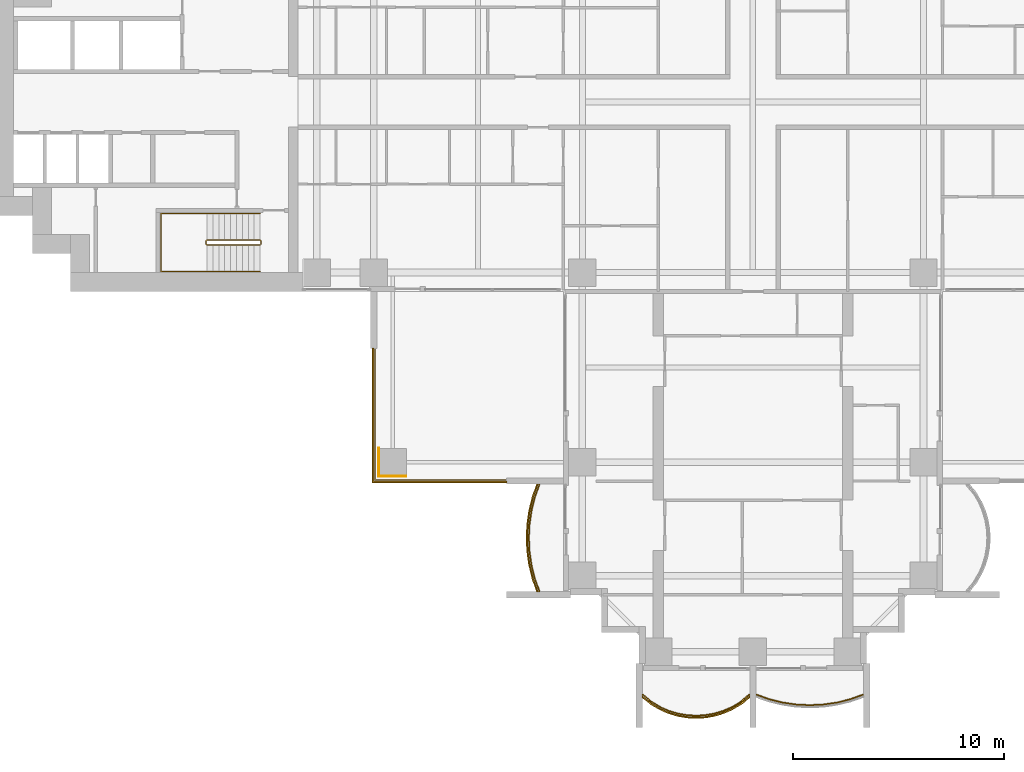
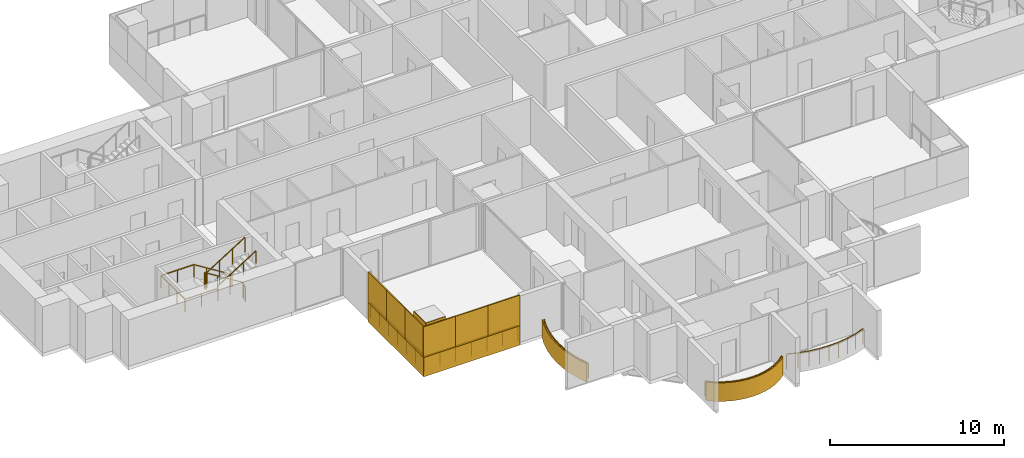
# One storey, part 17 of 20: 11 coverings, 6 railings.
"""IFC4 building model written with IfcOpenShell, lengths in metres."""

from ifc_helpers import new_model, si_unit, direction, frame, origin, origin_2d, place, context, subcontext, project, spatial, polyline, rectangle, outline, extrude, material, layer, layer_set, type_object, element, save


model = new_model("IFC4")

# Units and contexts
model_context = context("Model", 3, precision=1e-05, world=origin(), true_north=direction((0.0, 1.0)))
body_context = subcontext(model_context, "Body", "Model", "MODEL_VIEW")
ifc_project = project(units=[si_unit("LENGTHUNIT", "METRE"), si_unit("AREAUNIT", "SQUARE_METRE"), si_unit("VOLUMEUNIT", "CUBIC_METRE"), si_unit("PLANEANGLEUNIT", "RADIAN"), si_unit("MASSUNIT", "GRAM", prefix="KILO")], contexts=[model_context])

# Site, building, storey
site_placement = place(None, origin())
site = spatial("IfcSite", under=ifc_project, at=site_placement, CompositionType="ELEMENT")
building_placement = place(site_placement, origin())
building = spatial("IfcBuilding", under=site, at=building_placement, Name="Perihelion Cross Residences", CompositionType="ELEMENT")
storey_placement = place(building_placement, frame((0.0, 0.0, 71.5)))
storey = spatial("IfcBuildingStorey", under=building, at=storey_placement, Name="L15", CompositionType="ELEMENT", Elevation=71.5)

# Coverings
ifc_material_1 = material(Name="Bronze anodised aluminium", Category="aluminium")
ifc_layer_1 = layer(ifc_material_1, 0.070068359375)
ifc_layer_set_1 = layer_set([ifc_layer_1], Name="Balcony fascia 1300")
covering_type_1 = type_object("IfcCoveringType", Name="Balcony fascia 1300", PredefinedType="CLADDING", material=ifc_layer_set_1)
covering_1_placement = place(storey_placement, frame((0.0, 0.0, -0.199951171875)))
element("IfcCovering", 1, at=covering_1_placement, inside=storey, type_object=covering_type_1, Name="Fascia BF1 L15 south side west bay 2", PredefinedType="CLADDING", context=body_context, shape_type="SweptSolid", body=[
    extrude(outline(polyline([(-10.49072265625, -18.767578125), (-10.647216796875, -19.411865234375), (-10.739501953125, -20.055908203125), (-10.77001953125, -20.699951171875), (-10.739501953125, -21.34423828125), (-10.647216796875, -21.98828125), (-10.49072265625, -22.63232421875), (-10.274169921875, -23.25), (-10.199951171875, -23.25), (-10.423583984375, -22.612548828125), (-10.57861328125, -21.97509765625), (-10.669921875, -21.33740234375), (-10.699951171875, -20.699951171875), (-10.669921875, -20.0625), (-10.57861328125, -19.425048828125), (-10.423583984375, -18.78759765625), (-10.199951171875, -18.14990234375), (-10.274169921875, -18.14990234375), (-10.49072265625, -18.767578125)])), origin(), (0.0, 0.0, 1.0), 1.300048828125),
])
covering_2_placement = place(storey_placement, frame((0.0, 0.0, -0.199951171875)))
element("IfcCovering", 2, at=covering_2_placement, inside=storey, type_object=covering_type_1, Name="Fascia BF1 L15 south tip south bay 1", PredefinedType="CLADDING", context=body_context, shape_type="SweptSolid", body=[
    extrude(outline(polyline([(-4.86474609375, -28.59765625), (-4.431884765625, -28.85498046875), (-3.998779296875, -29.04248046875), (-3.56591796875, -29.170654296875), (-3.133056640625, -29.245361328125), (-2.699951171875, -29.27001953125), (-2.26708984375, -29.245361328125), (-1.833984375, -29.170654296875), (-1.401123046875, -29.04248046875), (-0.96826171875, -28.85498046875), (-0.53515625, -28.59765625), (-0.14990234375, -28.28955078125), (-0.14990234375, -28.199951171875), (-0.574951171875, -28.5400390625), (-1.0, -28.792724609375), (-1.425048828125, -28.9765625), (-1.85009765625, -29.1025390625), (-2.27490234375, -29.17578125), (-2.699951171875, -29.199951171875), (-3.125, -29.17578125), (-3.550048828125, -29.1025390625), (-3.97509765625, -28.9765625), (-4.39990234375, -28.792724609375), (-4.824951171875, -28.5400390625), (-5.25, -28.199951171875), (-5.25, -28.28955078125), (-4.86474609375, -28.59765625)])), origin(), (0.0, 0.0, 1.0), 1.300048828125),
])

# Railings
ifc_material_2 = material(Name="Bronze anodised aluminium", Category="aluminium")
railing_type_1 = type_object("IfcRailingType", Name="Balcony guard 1100", PredefinedType="GUARDRAIL", material=ifc_material_2)
railing_1_placement = place(storey_placement, frame((-10.139892578125, -18.175048828125, 0.0)))
element("IfcRailing", 3, at=railing_1_placement, inside=storey, type_object=railing_type_1, Name="Guard GU1 L15 south side west bay 2 balcony", PredefinedType="GUARDRAIL", context=body_context, shape_type="SweptSolid", body=[
    extrude(rectangle(XDim=0.048095703125, YDim=0.048095703125, at=origin_2d()), frame((0.0, 0.0, 1.076171875), z_axis=(-0.342945217749, -0.939355405384, 0.0), x_axis=(0.939355405384, -0.342945217749, 0.0)), (0.0, 0.0, 1.0), 0.652099609375),
    extrude(rectangle(XDim=0.048095703125, YDim=0.048095703125, at=origin_2d()), frame((-0.2236328125, -0.612548828125, 1.076171875), z_axis=(-0.236313594268, -0.971676841941, 0.0), x_axis=(0.971676841941, -0.236313594268, 0.0)), (0.0, 0.0, 1.0), 0.656005859375),
    extrude(rectangle(XDim=0.048095703125, YDim=0.048095703125, at=origin_2d()), frame((-0.378662109375, -1.25, 1.076171875), z_axis=(-0.141792889142, -0.989896346386, 0.0), x_axis=(0.989896346386, -0.141792889142, 0.0)), (0.0, 0.0, 1.0), 0.64404296875),
    extrude(rectangle(XDim=0.048095703125, YDim=0.048095703125, at=origin_2d()), frame((-0.469970703125, -1.887451171875, 1.076171875), z_axis=(-0.04705620296, -0.998892243319, 0.0), x_axis=(0.998892243319, -0.04705620296, 0.0)), (0.0, 0.0, 1.0), 0.63818359375),
    extrude(rectangle(XDim=0.048095703125, YDim=0.048095703125, at=origin_2d()), frame((-0.5, -2.52490234375, 1.076171875), z_axis=(0.04705620296, -0.998892243319, 0.0), x_axis=(0.998892243319, 0.04705620296, 0.0)), (0.0, 0.0, 1.0), 0.63818359375),
    extrude(rectangle(XDim=0.048095703125, YDim=0.048095703125, at=origin_2d()), frame((-0.469970703125, -3.162353515625, 1.076171875), z_axis=(0.141739694763, -0.989903964498, 0.0), x_axis=(0.989903964498, 0.141739694763, 0.0)), (0.0, 0.0, 1.0), 0.644287109375),
    extrude(rectangle(XDim=0.048095703125, YDim=0.048095703125, at=origin_2d()), frame((-0.378662109375, -3.800048828125, 1.076171875), z_axis=(0.236313594268, -0.971676841941, 0.0), x_axis=(0.971676841941, 0.236313594268, 0.0)), (0.0, 0.0, 1.0), 0.656005859375),
    extrude(rectangle(XDim=0.048095703125, YDim=0.048095703125, at=origin_2d()), frame((-0.2236328125, -4.4375, 1.076171875), z_axis=(0.342945217749, -0.939355405384, 0.0), x_axis=(0.939355405384, 0.342945217749, 0.0)), (0.0, 0.0, 1.0), 0.652099609375),
    extrude(rectangle(XDim=0.0419921875, YDim=0.0419921875, at=origin_2d()), origin(), (0.0, 0.0, 1.0), 1.052001953125),
    extrude(rectangle(XDim=0.0419921875, YDim=0.0419921875, at=origin_2d()), frame((-0.2236328125, -0.612548828125, 0.0)), (0.0, 0.0, 1.0), 1.052001953125),
    extrude(rectangle(XDim=0.0419921875, YDim=0.0419921875, at=origin_2d()), frame((-0.378662109375, -1.25, 0.0)), (0.0, 0.0, 1.0), 1.052001953125),
    extrude(rectangle(XDim=0.0419921875, YDim=0.0419921875, at=origin_2d()), frame((-0.469970703125, -1.887451171875, 0.0)), (0.0, 0.0, 1.0), 1.052001953125),
    extrude(rectangle(XDim=0.0419921875, YDim=0.0419921875, at=origin_2d()), frame((-0.5, -2.52490234375, 0.0)), (0.0, 0.0, 1.0), 1.052001953125),
    extrude(rectangle(XDim=0.0419921875, YDim=0.0419921875, at=origin_2d()), frame((-0.469970703125, -3.162353515625, 0.0)), (0.0, 0.0, 1.0), 1.052001953125),
    extrude(rectangle(XDim=0.0419921875, YDim=0.0419921875, at=origin_2d()), frame((-0.378662109375, -3.800048828125, 0.0)), (0.0, 0.0, 1.0), 1.052001953125),
    extrude(rectangle(XDim=0.0419921875, YDim=0.0419921875, at=origin_2d()), frame((-0.2236328125, -4.4375, 0.0)), (0.0, 0.0, 1.0), 1.052001953125),
    extrude(rectangle(XDim=0.0419921875, YDim=0.0419921875, at=origin_2d()), frame((0.0, -5.050048828125, 0.0)), (0.0, 0.0, 1.0), 1.052001953125),
])
railing_2_placement = place(storey_placement, frame((-5.22509765625, -28.139892578125, 0.0)))
element("IfcRailing", 4, at=railing_2_placement, inside=storey, type_object=railing_type_1, Name="Guard GU1 L15 south tip south bay 1 balcony", PredefinedType="GUARDRAIL", context=body_context, shape_type="SweptSolid", body=[
    extrude(rectangle(XDim=0.048095703125, YDim=0.048095703125, at=origin_2d()), frame((0.0, 0.0, 1.076171875), z_axis=(0.761973728849, -0.647607934281, 0.0), x_axis=(0.647607934281, 0.761973728849, 0.0)), (0.0, 0.0, 1.0), 0.525146484375),
    extrude(rectangle(XDim=0.048095703125, YDim=0.048095703125, at=origin_2d()), frame((0.400146484375, -0.340087890625, 1.076171875), z_axis=(0.859576918062, -0.511006381501, 0.0), x_axis=(0.511006381501, 0.859576918062, 0.0)), (0.0, 0.0, 1.0), 0.494384765625),
    extrude(rectangle(XDim=0.048095703125, YDim=0.048095703125, at=origin_2d()), frame((0.8251953125, -0.5927734375, 1.076171875), z_axis=(0.91755562531, -0.397607437634, 0.0), x_axis=(0.397607437634, 0.91755562531, 0.0)), (0.0, 0.0, 1.0), 0.462890625),
    extrude(rectangle(XDim=0.048095703125, YDim=0.048095703125, at=origin_2d()), frame((1.25, -0.77685546875, 1.076171875), z_axis=(0.958925815697, -0.283656975924, 0.0), x_axis=(0.283656975924, 0.958925815697, 0.0)), (0.0, 0.0, 1.0), 0.443359375),
    extrude(rectangle(XDim=0.048095703125, YDim=0.048095703125, at=origin_2d()), frame((1.675048828125, -0.902587890625, 1.076171875), z_axis=(0.985381583142, -0.17036177859, 0.0), x_axis=(0.17036177859, 0.985381583142, 0.0)), (0.0, 0.0, 1.0), 0.431396484375),
    extrude(rectangle(XDim=0.048095703125, YDim=0.048095703125, at=origin_2d()), frame((2.10009765625, -0.97607421875, 1.076171875), z_axis=(0.9984195016, -0.056200523353, 0.0), x_axis=(0.056200523353, 0.9984195016, 0.0)), (0.0, 0.0, 1.0), 0.42578125),
    extrude(rectangle(XDim=0.048095703125, YDim=0.048095703125, at=origin_2d()), frame((2.525146484375, -1.0, 1.076171875), z_axis=(0.9984195016, 0.056200523353, 0.0), x_axis=(-0.056200523353, 0.9984195016, 0.0)), (0.0, 0.0, 1.0), 0.42578125),
    extrude(rectangle(XDim=0.048095703125, YDim=0.048095703125, at=origin_2d()), frame((2.9501953125, -0.97607421875, 1.076171875), z_axis=(0.985365142702, 0.170456843651, 0.0), x_axis=(-0.170456843651, 0.985365142702, 0.0)), (0.0, 0.0, 1.0), 0.43115234375),
    extrude(rectangle(XDim=0.048095703125, YDim=0.048095703125, at=origin_2d()), frame((3.375, -0.902587890625, 1.076171875), z_axis=(0.958925815697, 0.283656975924, 0.0), x_axis=(-0.283656975924, 0.958925815697, 0.0)), (0.0, 0.0, 1.0), 0.443359375),
    extrude(rectangle(XDim=0.048095703125, YDim=0.048095703125, at=origin_2d()), frame((3.800048828125, -0.77685546875, 1.076171875), z_axis=(0.917638931453, 0.397415137459, 0.0), x_axis=(-0.397415137459, 0.917638931453, 0.0)), (0.0, 0.0, 1.0), 0.463134765625),
    extrude(rectangle(XDim=0.048095703125, YDim=0.048095703125, at=origin_2d()), frame((4.22509765625, -0.5927734375, 1.076171875), z_axis=(0.859576918062, 0.511006381501, 0.0), x_axis=(-0.511006381501, 0.859576918062, 0.0)), (0.0, 0.0, 1.0), 0.494384765625),
    extrude(rectangle(XDim=0.048095703125, YDim=0.048095703125, at=origin_2d()), frame((4.650146484375, -0.340087890625, 1.076171875), z_axis=(0.761778647315, 0.647837396648, 0.0), x_axis=(-0.647837396648, 0.761778647315, 0.0)), (0.0, 0.0, 1.0), 0.52490234375),
    extrude(rectangle(XDim=0.0419921875, YDim=0.0419921875, at=origin_2d()), origin(), (0.0, 0.0, 1.0), 1.052001953125),
    extrude(rectangle(XDim=0.0419921875, YDim=0.0419921875, at=origin_2d()), frame((0.400146484375, -0.340087890625, 0.0)), (0.0, 0.0, 1.0), 1.052001953125),
    extrude(rectangle(XDim=0.0419921875, YDim=0.0419921875, at=origin_2d()), frame((0.8251953125, -0.5927734375, 0.0)), (0.0, 0.0, 1.0), 1.052001953125),
    extrude(rectangle(XDim=0.0419921875, YDim=0.0419921875, at=origin_2d()), frame((1.25, -0.77685546875, 0.0)), (0.0, 0.0, 1.0), 1.052001953125),
    extrude(rectangle(XDim=0.0419921875, YDim=0.0419921875, at=origin_2d()), frame((1.675048828125, -0.902587890625, 0.0)), (0.0, 0.0, 1.0), 1.052001953125),
    extrude(rectangle(XDim=0.0419921875, YDim=0.0419921875, at=origin_2d()), frame((2.10009765625, -0.97607421875, 0.0)), (0.0, 0.0, 1.0), 1.052001953125),
    extrude(rectangle(XDim=0.0419921875, YDim=0.0419921875, at=origin_2d()), frame((2.525146484375, -1.0, 0.0)), (0.0, 0.0, 1.0), 1.052001953125),
    extrude(rectangle(XDim=0.0419921875, YDim=0.0419921875, at=origin_2d()), frame((2.9501953125, -0.97607421875, 0.0)), (0.0, 0.0, 1.0), 1.052001953125),
    extrude(rectangle(XDim=0.0419921875, YDim=0.0419921875, at=origin_2d()), frame((3.375, -0.902587890625, 0.0)), (0.0, 0.0, 1.0), 1.052001953125),
    extrude(rectangle(XDim=0.0419921875, YDim=0.0419921875, at=origin_2d()), frame((3.800048828125, -0.77685546875, 0.0)), (0.0, 0.0, 1.0), 1.052001953125),
    extrude(rectangle(XDim=0.0419921875, YDim=0.0419921875, at=origin_2d()), frame((4.22509765625, -0.5927734375, 0.0)), (0.0, 0.0, 1.0), 1.052001953125),
    extrude(rectangle(XDim=0.0419921875, YDim=0.0419921875, at=origin_2d()), frame((4.650146484375, -0.340087890625, 0.0)), (0.0, 0.0, 1.0), 1.052001953125),
    extrude(rectangle(XDim=0.0419921875, YDim=0.0419921875, at=origin_2d()), frame((5.050048828125, 0.0, 0.0)), (0.0, 0.0, 1.0), 1.052001953125),
])
railing_3_placement = place(storey_placement, frame((0.175048828125, -28.139892578125, 0.0)))
element("IfcRailing", 5, at=railing_3_placement, inside=storey, type_object=railing_type_1, Name="Guard GU1 L15 south tip south bay 2 balcony", PredefinedType="GUARDRAIL", context=body_context, shape_type="SweptSolid", body=[
    extrude(rectangle(XDim=0.048095703125, YDim=0.048095703125, at=origin_2d()), frame((0.0, 0.0, 1.076171875), z_axis=(0.939355405384, -0.342945217749, 0.0), x_axis=(0.342945217749, 0.939355405384, 0.0)), (0.0, 0.0, 1.0), 0.652099609375),
    extrude(rectangle(XDim=0.048095703125, YDim=0.048095703125, at=origin_2d()), frame((0.612548828125, -0.2236328125, 1.076171875), z_axis=(0.971676841941, -0.236313594268, 0.0), x_axis=(0.236313594268, 0.971676841941, 0.0)), (0.0, 0.0, 1.0), 0.656005859375),
    extrude(rectangle(XDim=0.048095703125, YDim=0.048095703125, at=origin_2d()), frame((1.25, -0.378662109375, 1.076171875), z_axis=(0.989896346386, -0.141792889142, 0.0), x_axis=(0.141792889142, 0.989896346386, 0.0)), (0.0, 0.0, 1.0), 0.64404296875),
    extrude(rectangle(XDim=0.048095703125, YDim=0.048095703125, at=origin_2d()), frame((1.887451171875, -0.469970703125, 1.076171875), z_axis=(0.998892243319, -0.04705620296, 0.0), x_axis=(0.04705620296, 0.998892243319, 0.0)), (0.0, 0.0, 1.0), 0.63818359375),
    extrude(rectangle(XDim=0.048095703125, YDim=0.048095703125, at=origin_2d()), frame((2.52490234375, -0.5, 1.076171875), z_axis=(0.998892243319, 0.04705620296, 0.0), x_axis=(-0.04705620296, 0.998892243319, 0.0)), (0.0, 0.0, 1.0), 0.63818359375),
    extrude(rectangle(XDim=0.048095703125, YDim=0.048095703125, at=origin_2d()), frame((3.162353515625, -0.469970703125, 1.076171875), z_axis=(0.989903964498, 0.141739694763, 0.0), x_axis=(-0.141739694763, 0.989903964498, 0.0)), (0.0, 0.0, 1.0), 0.644287109375),
    extrude(rectangle(XDim=0.048095703125, YDim=0.048095703125, at=origin_2d()), frame((3.800048828125, -0.378662109375, 1.076171875), z_axis=(0.971676841941, 0.236313594268, 0.0), x_axis=(-0.236313594268, 0.971676841941, 0.0)), (0.0, 0.0, 1.0), 0.656005859375),
    extrude(rectangle(XDim=0.048095703125, YDim=0.048095703125, at=origin_2d()), frame((4.4375, -0.2236328125, 1.076171875), z_axis=(0.939355405384, 0.342945217749, 0.0), x_axis=(-0.342945217749, 0.939355405384, 0.0)), (0.0, 0.0, 1.0), 0.652099609375),
    extrude(rectangle(XDim=0.0419921875, YDim=0.0419921875, at=origin_2d()), origin(), (0.0, 0.0, 1.0), 1.052001953125),
    extrude(rectangle(XDim=0.0419921875, YDim=0.0419921875, at=origin_2d()), frame((0.612548828125, -0.2236328125, 0.0)), (0.0, 0.0, 1.0), 1.052001953125),
    extrude(rectangle(XDim=0.0419921875, YDim=0.0419921875, at=origin_2d()), frame((1.25, -0.378662109375, 0.0)), (0.0, 0.0, 1.0), 1.052001953125),
    extrude(rectangle(XDim=0.0419921875, YDim=0.0419921875, at=origin_2d()), frame((1.887451171875, -0.469970703125, 0.0)), (0.0, 0.0, 1.0), 1.052001953125),
    extrude(rectangle(XDim=0.0419921875, YDim=0.0419921875, at=origin_2d()), frame((2.52490234375, -0.5, 0.0)), (0.0, 0.0, 1.0), 1.052001953125),
    extrude(rectangle(XDim=0.0419921875, YDim=0.0419921875, at=origin_2d()), frame((3.162353515625, -0.469970703125, 0.0)), (0.0, 0.0, 1.0), 1.052001953125),
    extrude(rectangle(XDim=0.0419921875, YDim=0.0419921875, at=origin_2d()), frame((3.800048828125, -0.378662109375, 0.0)), (0.0, 0.0, 1.0), 1.052001953125),
    extrude(rectangle(XDim=0.0419921875, YDim=0.0419921875, at=origin_2d()), frame((4.4375, -0.2236328125, 0.0)), (0.0, 0.0, 1.0), 1.052001953125),
    extrude(rectangle(XDim=0.0419921875, YDim=0.0419921875, at=origin_2d()), frame((5.050048828125, 0.0, 0.0)), (0.0, 0.0, 1.0), 1.052001953125),
])
railing_4_placement = place(storey_placement, frame((-11.739990234375, -17.93994140625, 0.0)))
element("IfcRailing", 6, at=railing_4_placement, inside=storey, type_object=railing_type_1, Name="Guard GU1 L15 pocket south-west 1", PredefinedType="GUARDRAIL", context=body_context, shape_type="SweptSolid", body=[
    extrude(rectangle(XDim=0.048095703125, YDim=0.048095703125, at=origin_2d()), frame((0.0, 0.0, 1.076171875), z_axis=(-1.0, 0.0, 0.0), x_axis=(0.0, -1.0, 0.0)), (0.0, 0.0, 1.0), 6.199951171875),
    extrude(rectangle(XDim=0.048095703125, YDim=0.048095703125, at=origin_2d()), frame((-6.199951171875, 0.0, 1.076171875), z_axis=(0.0, 1.0, 0.0), x_axis=(-1.0, 0.0, 0.0)), (0.0, 0.0, 1.0), 6.199951171875),
    extrude(rectangle(XDim=0.0419921875, YDim=0.0419921875, at=origin_2d()), origin(), (0.0, 0.0, 1.0), 1.052001953125),
    extrude(rectangle(XDim=0.0419921875, YDim=0.0419921875, at=origin_2d()), frame((-1.033203125, 0.0, 0.0)), (0.0, 0.0, 1.0), 1.052001953125),
    extrude(rectangle(XDim=0.0419921875, YDim=0.0419921875, at=origin_2d()), frame((-2.066650390625, 0.0, 0.0)), (0.0, 0.0, 1.0), 1.052001953125),
    extrude(rectangle(XDim=0.0419921875, YDim=0.0419921875, at=origin_2d()), frame((-3.10009765625, 0.0, 0.0)), (0.0, 0.0, 1.0), 1.052001953125),
    extrude(rectangle(XDim=0.0419921875, YDim=0.0419921875, at=origin_2d()), frame((-4.13330078125, 0.0, 0.0)), (0.0, 0.0, 1.0), 1.052001953125),
    extrude(rectangle(XDim=0.0419921875, YDim=0.0419921875, at=origin_2d()), frame((-5.16650390625, 0.0, 0.0)), (0.0, 0.0, 1.0), 1.052001953125),
    extrude(rectangle(XDim=0.0419921875, YDim=0.0419921875, at=origin_2d()), frame((-6.199951171875, 0.0, 0.0)), (0.0, 0.0, 1.0), 1.052001953125),
    extrude(rectangle(XDim=0.0419921875, YDim=0.0419921875, at=origin_2d()), frame((-6.199951171875, 1.033203125, 0.0)), (0.0, 0.0, 1.0), 1.052001953125),
    extrude(rectangle(XDim=0.0419921875, YDim=0.0419921875, at=origin_2d()), frame((-6.199951171875, 2.066650390625, 0.0)), (0.0, 0.0, 1.0), 1.052001953125),
    extrude(rectangle(XDim=0.0419921875, YDim=0.0419921875, at=origin_2d()), frame((-6.199951171875, 3.10009765625, 0.0)), (0.0, 0.0, 1.0), 1.052001953125),
    extrude(rectangle(XDim=0.0419921875, YDim=0.0419921875, at=origin_2d()), frame((-6.199951171875, 4.13330078125, 0.0)), (0.0, 0.0, 1.0), 1.052001953125),
    extrude(rectangle(XDim=0.0419921875, YDim=0.0419921875, at=origin_2d()), frame((-6.199951171875, 5.16650390625, 0.0)), (0.0, 0.0, 1.0), 1.052001953125),
    extrude(rectangle(XDim=0.0419921875, YDim=0.0419921875, at=origin_2d()), frame((-6.199951171875, 6.199951171875, 0.0)), (0.0, 0.0, 1.0), 1.052001953125),
])

# Coverings
ifc_material_3 = material(Name="Bronze anodised aluminium", Category="aluminium")
ifc_layer_2 = layer(ifc_material_3, 0.0400390625)
ifc_layer_set_2 = layer_set([ifc_layer_2], Name="Bronze column casing 40")
covering_type_2 = type_object("IfcCoveringType", Name="Bronze column casing 40", PredefinedType="CLADDING", material=ifc_layer_set_2)
covering_3_placement = place(storey_placement, frame((-17.77001953125, -17.10009765625, -0.25), z_axis=(0.0, 0.0, 1.0), x_axis=(1.0, 0.0, 0.0)))
element("IfcCovering", 7, at=covering_3_placement, inside=storey, type_object=covering_type_2, Name="Cladding CC1 L15 casing east-west no. 1", PredefinedType="CLADDING", context=body_context, shape_type="SweptSolid", body=[
    extrude(rectangle(XDim=0.0400390625, YDim=1.3798828125, at=origin_2d()), origin(), (0.0, 0.0, 1.0), 3.5),
])
covering_4_placement = place(storey_placement, frame((-17.10009765625, -17.77001953125, -0.25), z_axis=(0.0, 0.0, 1.0), x_axis=(1.0, 0.0, 0.0)))
element("IfcCovering", 8, at=covering_4_placement, inside=storey, type_object=covering_type_2, Name="Cladding CC1 L15 casing north-south no. 1", PredefinedType="CLADDING", context=body_context, shape_type="SweptSolid", body=[
    extrude(rectangle(XDim=1.300048828125, YDim=0.0400390625, at=origin_2d()), origin(), (0.0, 0.0, 1.0), 3.5),
])
ifc_material_4 = material(Name="Bronze anodised aluminium", Category="aluminium")
ifc_layer_3 = layer(ifc_material_4, 0.070068359375)
ifc_layer_set_3 = layer_set([ifc_layer_3], Name="Pocket fascia 1350")
covering_type_3 = type_object("IfcCoveringType", Name="Pocket fascia 1350", PredefinedType="CLADDING", material=ifc_layer_set_3)
covering_5_placement = place(storey_placement, frame((0.0, 0.0, -0.25)))
element("IfcCovering", 9, at=covering_5_placement, inside=storey, type_object=covering_type_3, Name="Fascia BF2 L15 pocket south-west 1", PredefinedType="CLADDING", context=body_context, shape_type="SweptSolid", body=[
    extrude(outline(polyline([(-18.070068359375, -11.699951171875), (-18.070068359375, -18.070068359375), (-11.699951171875, -18.070068359375), (-11.699951171875, -18.0), (-18.0, -18.0), (-18.0, -11.699951171875), (-18.070068359375, -11.699951171875)])), origin(), (0.0, 0.0, 1.0), 1.35009765625),
])
ifc_material_5 = material(Name="Bronze perforated aluminium", Category="aluminium")
ifc_layer_4 = layer(ifc_material_5, 0.070068359375)
ifc_layer_set_4 = layer_set([ifc_layer_4], Name="Pocket solar screen, bronze perforated")
covering_type_4 = type_object("IfcCoveringType", Name="Pocket solar screen, bronze perforated", PredefinedType="CLADDING", material=ifc_layer_set_4)
covering_6_placement = place(storey_placement, frame((0.0, 0.0, 1.10009765625)))
element("IfcCovering", 10, at=covering_6_placement, inside=storey, type_object=covering_type_4, Name="Solar screen PS1 L15 pocket south-west no. 1", PredefinedType="CLADDING", context=body_context, shape_type="SweptSolid", body=[
    extrude(outline(polyline([(-18.0, -18.0), (-18.0, -15.89990234375), (-18.070068359375, -15.89990234375), (-18.070068359375, -18.0), (-18.0, -18.0)])), origin(), (0.0, 0.0, 1.0), 2.14990234375),
])
covering_7_placement = place(storey_placement, frame((0.0, 0.0, 1.10009765625)))
element("IfcCovering", 11, at=covering_7_placement, inside=storey, type_object=covering_type_4, Name="Solar screen PS1 L15 pocket south-west no. 2", PredefinedType="CLADDING", context=body_context, shape_type="SweptSolid", body=[
    extrude(outline(polyline([(-18.0, -15.89990234375), (-18.0, -13.800048828125), (-18.070068359375, -13.800048828125), (-18.070068359375, -15.89990234375), (-18.0, -15.89990234375)])), origin(), (0.0, 0.0, 1.0), 2.14990234375),
])
covering_8_placement = place(storey_placement, frame((0.0, 0.0, 1.10009765625)))
element("IfcCovering", 12, at=covering_8_placement, inside=storey, type_object=covering_type_4, Name="Solar screen PS1 L15 pocket south-west no. 3", PredefinedType="CLADDING", context=body_context, shape_type="SweptSolid", body=[
    extrude(outline(polyline([(-18.0, -13.800048828125), (-18.0, -11.699951171875), (-18.070068359375, -11.699951171875), (-18.070068359375, -13.800048828125), (-18.0, -13.800048828125)])), origin(), (0.0, 0.0, 1.0), 2.14990234375),
])
covering_9_placement = place(storey_placement, frame((0.0, 0.0, 1.10009765625)))
element("IfcCovering", 13, at=covering_9_placement, inside=storey, type_object=covering_type_4, Name="Solar screen PS1 L15 pocket south-west no. 4", PredefinedType="CLADDING", context=body_context, shape_type="SweptSolid", body=[
    extrude(outline(polyline([(-15.94677734375, -18.070068359375), (-15.94677734375, -18.0), (-18.070068359375, -18.0), (-18.070068359375, -18.070068359375), (-15.94677734375, -18.070068359375)])), origin(), (0.0, 0.0, 1.0), 2.14990234375),
])
covering_10_placement = place(storey_placement, frame((0.0, 0.0, 1.10009765625)))
element("IfcCovering", 14, at=covering_10_placement, inside=storey, type_object=covering_type_4, Name="Solar screen PS1 L15 pocket south-west no. 5", PredefinedType="CLADDING", context=body_context, shape_type="SweptSolid", body=[
    extrude(outline(polyline([(-13.8232421875, -18.070068359375), (-13.8232421875, -18.0), (-15.94677734375, -18.0), (-15.94677734375, -18.070068359375), (-13.8232421875, -18.070068359375)])), origin(), (0.0, 0.0, 1.0), 2.14990234375),
])
covering_11_placement = place(storey_placement, frame((0.0, 0.0, 1.10009765625)))
element("IfcCovering", 15, at=covering_11_placement, inside=storey, type_object=covering_type_4, Name="Solar screen PS1 L15 pocket south-west no. 6", PredefinedType="CLADDING", context=body_context, shape_type="SweptSolid", body=[
    extrude(outline(polyline([(-11.699951171875, -18.070068359375), (-11.699951171875, -18.0), (-13.8232421875, -18.0), (-13.8232421875, -18.070068359375), (-11.699951171875, -18.070068359375)])), origin(), (0.0, 0.0, 1.0), 2.14990234375),
])

# Railings
ifc_material_6 = material(Name="Stainless steel", Category="steel")
railing_type_2 = type_object("IfcRailingType", Name="Stair guard 1100", PredefinedType="GUARDRAIL", material=ifc_material_6)
railing_5_placement = place(storey_placement, frame((-23.35009765625, -6.75, 0.0)))
element("IfcRailing", 16, at=railing_5_placement, inside=storey, type_object=railing_type_2, Name="L15 ST-W2 stair guard 1", PredefinedType="GUARDRAIL", context=body_context, shape_type="SweptSolid", body=[
    extrude(rectangle(XDim=0.048095703125, YDim=0.048095703125, at=origin_2d()), frame((0.0, 0.0, 1.076171875), z_axis=(0.0, 1.0, 0.0), x_axis=(-1.0, 0.0, 0.0)), (0.0, 0.0, 1.0), 0.14990234375),
    extrude(rectangle(XDim=0.048095703125, YDim=0.048095703125, at=origin_2d()), frame((0.0, 0.14990234375, 1.076171875), z_axis=(-0.263862480399, 0.265155923931, 0.927399011991), x_axis=(-0.708833529934, -0.705375805398, 0.0)), (0.0, 0.0, 1.0), 0.188720703125),
    extrude(rectangle(XDim=0.048095703125, YDim=0.048095703125, at=origin_2d()), frame((-0.0498046875, 0.199951171875, 1.2509765625), z_axis=(-0.848007534815, 0.0, 0.529984170421), x_axis=(0.0, -1.0, 0.0)), (0.0, 0.0, 1.0), 2.9716796875),
    extrude(rectangle(XDim=0.048095703125, YDim=0.048095703125, at=origin_2d()), frame((-2.56982421875, 0.199951171875, 2.826171875), z_axis=(-0.707106781187, -0.707106781187, 0.0), x_axis=(0.707106781187, -0.707106781187, 0.0)), (0.0, 0.0, 1.0), 0.07080078125),
    extrude(rectangle(XDim=0.048095703125, YDim=0.048095703125, at=origin_2d()), frame((-2.619873046875, 0.14990234375, 2.826171875), z_axis=(0.0, -1.0, 0.0), x_axis=(1.0, 0.0, 0.0)), (0.0, 0.0, 1.0), 0.14990234375),
    extrude(rectangle(XDim=0.048095703125, YDim=0.048095703125, at=origin_2d()), frame((-2.619873046875, 0.0, 2.826171875), z_axis=(0.265065253269, -0.265065253269, 0.927081885822), x_axis=(0.707106781187, 0.707106781187, 0.0)), (0.0, 0.0, 1.0), 0.188720703125),
    extrude(rectangle(XDim=0.048095703125, YDim=0.048095703125, at=origin_2d()), frame((-2.56982421875, -0.050048828125, 3.0009765625), z_axis=(0.848007534815, 0.0, 0.529984170421), x_axis=(0.0, 1.0, 0.0)), (0.0, 0.0, 1.0), 2.9716796875),
    extrude(rectangle(XDim=0.0419921875, YDim=0.0419921875, at=origin_2d()), origin(), (0.0, 0.0, 1.0), 1.052001953125),
    extrude(rectangle(XDim=0.0419921875, YDim=0.0419921875, at=origin_2d()), frame((0.0, 0.14990234375, 0.0)), (0.0, 0.0, 1.0), 1.052001953125),
    extrude(rectangle(XDim=0.0419921875, YDim=0.0419921875, at=origin_2d()), frame((-0.0498046875, 0.199951171875, 0.175048828125)), (0.0, 0.0, 1.0), 1.052001953125),
    extrude(rectangle(XDim=0.0419921875, YDim=0.0419921875, at=origin_2d()), frame((-0.889892578125, 0.199951171875, 0.699951171875)), (0.0, 0.0, 1.0), 1.052001953125),
    extrude(rectangle(XDim=0.0419921875, YDim=0.0419921875, at=origin_2d()), frame((-1.729736328125, 0.199951171875, 1.22509765625)), (0.0, 0.0, 1.0), 1.052001953125),
    extrude(rectangle(XDim=0.0419921875, YDim=0.0419921875, at=origin_2d()), frame((-2.56982421875, 0.199951171875, 1.75)), (0.0, 0.0, 1.0), 1.052001953125),
    extrude(rectangle(XDim=0.0419921875, YDim=0.0419921875, at=origin_2d()), frame((-2.619873046875, 0.14990234375, 1.75)), (0.0, 0.0, 1.0), 1.052001953125),
    extrude(rectangle(XDim=0.0419921875, YDim=0.0419921875, at=origin_2d()), frame((-2.619873046875, 0.0, 1.75)), (0.0, 0.0, 1.0), 1.052001953125),
    extrude(rectangle(XDim=0.0419921875, YDim=0.0419921875, at=origin_2d()), frame((-2.56982421875, -0.050048828125, 1.925048828125)), (0.0, 0.0, 1.0), 1.052001953125),
    extrude(rectangle(XDim=0.0419921875, YDim=0.0419921875, at=origin_2d()), frame((-1.729736328125, -0.050048828125, 2.449951171875)), (0.0, 0.0, 1.0), 1.052001953125),
    extrude(rectangle(XDim=0.0419921875, YDim=0.0419921875, at=origin_2d()), frame((-0.889892578125, -0.050048828125, 2.97509765625)), (0.0, 0.0, 1.0), 1.052001953125),
    extrude(rectangle(XDim=0.0419921875, YDim=0.0419921875, at=origin_2d()), frame((-0.0498046875, -0.050048828125, 3.5)), (0.0, 0.0, 1.0), 1.052001953125),
])
ifc_material_7 = material(Name="Stainless steel", Category="steel")
railing_type_3 = type_object("IfcRailingType", Name="Stair handrail 900", PredefinedType="HANDRAIL", material=ifc_material_7)
railing_6_placement = place(storey_placement, frame((-23.39990234375, -5.300048828125, 0.175048828125)))
element("IfcRailing", 17, at=railing_6_placement, inside=storey, type_object=railing_type_3, Name="L15 ST-W2 stair handrail 1", PredefinedType="HANDRAIL", context=body_context, shape_type="SweptSolid", body=[
    extrude(rectangle(XDim=0.048095703125, YDim=0.048095703125, at=origin_2d()), frame((0.0, 0.0, 0.8759765625), z_axis=(-0.848007534815, 0.0, 0.529984170421), x_axis=(0.0, -1.0, 0.0)), (0.0, 0.0, 1.0), 2.9716796875),
    extrude(rectangle(XDim=0.048095703125, YDim=0.048095703125, at=origin_2d()), frame((-2.52001953125, 0.0, 2.45068359375), z_axis=(-1.0, 0.0, 0.0), x_axis=(0.0, -1.0, 0.0)), (0.0, 0.0, 1.0), 2.18017578125),
    extrude(rectangle(XDim=0.048095703125, YDim=0.048095703125, at=origin_2d()), frame((-4.7001953125, 0.0, 2.45068359375), z_axis=(0.0, -1.0, 0.0), x_axis=(1.0, 0.0, 0.0)), (0.0, 0.0, 1.0), 2.75),
    extrude(rectangle(XDim=0.048095703125, YDim=0.048095703125, at=origin_2d()), frame((-4.7001953125, -2.75, 2.45068359375), z_axis=(1.0, 0.0, 0.0), x_axis=(0.0, 1.0, 0.0)), (0.0, 0.0, 1.0), 2.18017578125),
    extrude(rectangle(XDim=0.048095703125, YDim=0.048095703125, at=origin_2d()), frame((-2.52001953125, -2.75, 2.45068359375), z_axis=(0.0, 0.0, 1.0), x_axis=(1.0, 0.0, 0.0)), (0.0, 0.0, 1.0), 0.175048828125),
    extrude(rectangle(XDim=0.048095703125, YDim=0.048095703125, at=origin_2d()), frame((-2.52001953125, -2.75, 2.6259765625), z_axis=(0.848007534815, 0.0, 0.529984170421), x_axis=(0.0, 1.0, 0.0)), (0.0, 0.0, 1.0), 2.9716796875),
    extrude(rectangle(XDim=0.0419921875, YDim=0.0419921875, at=origin_2d()), origin(), (0.0, 0.0, 1.0), 0.851806640625),
    extrude(rectangle(XDim=0.0419921875, YDim=0.0419921875, at=origin_2d()), frame((-0.840087890625, 0.0, 0.52490234375)), (0.0, 0.0, 1.0), 0.851806640625),
    extrude(rectangle(XDim=0.0419921875, YDim=0.0419921875, at=origin_2d()), frame((-1.679931640625, 0.0, 1.050048828125)), (0.0, 0.0, 1.0), 0.851806640625),
    extrude(rectangle(XDim=0.0419921875, YDim=0.0419921875, at=origin_2d()), frame((-2.52001953125, 0.0, 1.574951171875)), (0.0, 0.0, 1.0), 0.851806640625),
    extrude(rectangle(XDim=0.0419921875, YDim=0.0419921875, at=origin_2d()), frame((-3.610107421875, 0.0, 1.574951171875)), (0.0, 0.0, 1.0), 0.851806640625),
    extrude(rectangle(XDim=0.0419921875, YDim=0.0419921875, at=origin_2d()), frame((-4.7001953125, 0.0, 1.574951171875)), (0.0, 0.0, 1.0), 0.851806640625),
    extrude(rectangle(XDim=0.0419921875, YDim=0.0419921875, at=origin_2d()), frame((-4.7001953125, -0.916748046875, 1.574951171875)), (0.0, 0.0, 1.0), 0.851806640625),
    extrude(rectangle(XDim=0.0419921875, YDim=0.0419921875, at=origin_2d()), frame((-4.7001953125, -1.833251953125, 1.574951171875)), (0.0, 0.0, 1.0), 0.851806640625),
    extrude(rectangle(XDim=0.0419921875, YDim=0.0419921875, at=origin_2d()), frame((-4.7001953125, -2.75, 1.574951171875)), (0.0, 0.0, 1.0), 0.851806640625),
    extrude(rectangle(XDim=0.0419921875, YDim=0.0419921875, at=origin_2d()), frame((-3.610107421875, -2.75, 1.574951171875)), (0.0, 0.0, 1.0), 0.851806640625),
    extrude(rectangle(XDim=0.0419921875, YDim=0.0419921875, at=origin_2d()), frame((-2.52001953125, -2.75, 1.574951171875)), (0.0, 0.0, 1.0), 0.851806640625),
    extrude(rectangle(XDim=0.0419921875, YDim=0.0419921875, at=origin_2d()), frame((-2.52001953125, -2.75, 1.75)), (0.0, 0.0, 1.0), 0.851806640625),
    extrude(rectangle(XDim=0.0419921875, YDim=0.0419921875, at=origin_2d()), frame((-1.679931640625, -2.75, 2.27490234375)), (0.0, 0.0, 1.0), 0.851806640625),
    extrude(rectangle(XDim=0.0419921875, YDim=0.0419921875, at=origin_2d()), frame((-0.840087890625, -2.75, 2.800048828125)), (0.0, 0.0, 1.0), 0.851806640625),
    extrude(rectangle(XDim=0.0419921875, YDim=0.0419921875, at=origin_2d()), frame((0.0, -2.75, 3.324951171875)), (0.0, 0.0, 1.0), 0.851806640625),
])

save(model, "model.ifc")
